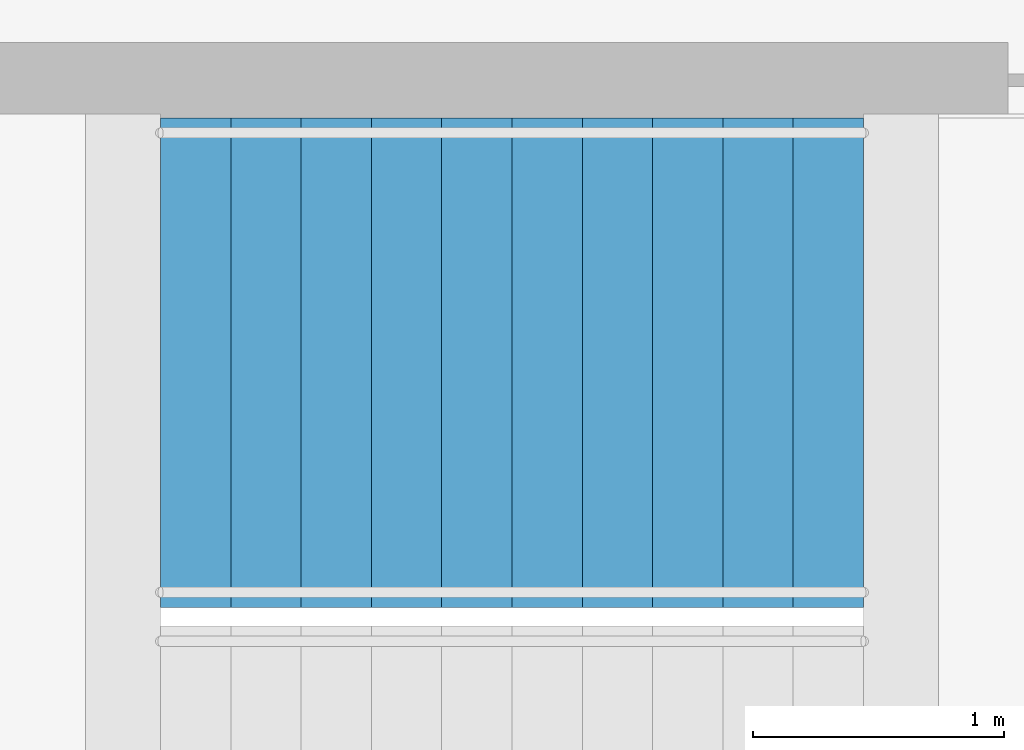
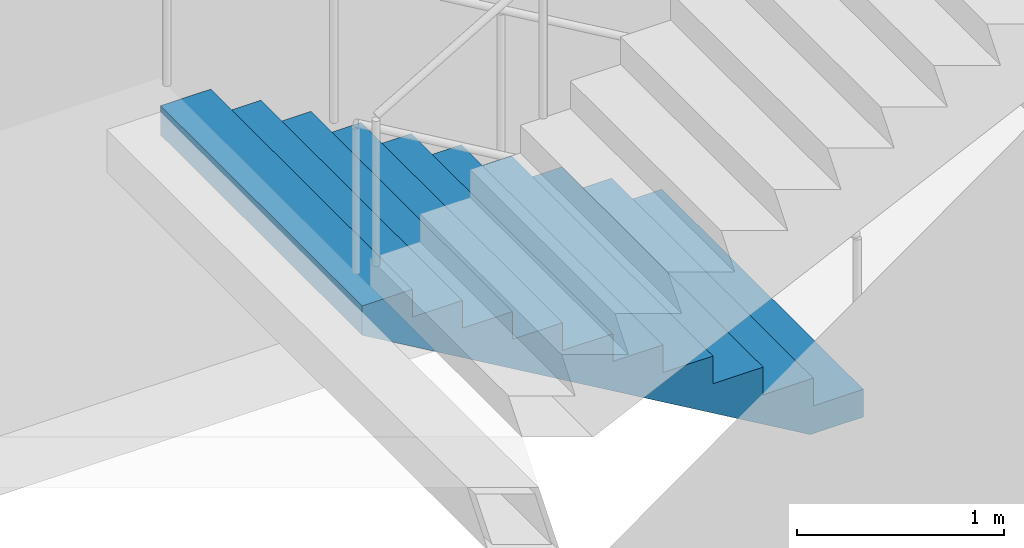
# One storey, part 20 of 22: 1 stair flight, 1 element without a shape of its own.
"""IFC4 building model written with IfcOpenShell, lengths in metres."""

from ifc_helpers import new_model, si_unit, direction, frame, origin, place, context, subcontext, project, spatial, triangles, material, type_object, element, aggregate, save


model = new_model("IFC4")

# Units and contexts
model_context = context("Model", 3, precision=1e-05, world=origin(), true_north=direction((0.0, 1.0)))
body_context = subcontext(model_context, "Body", "Model", "MODEL_VIEW")
ifc_project = project(units=[si_unit("LENGTHUNIT", "METRE"), si_unit("AREAUNIT", "SQUARE_METRE"), si_unit("VOLUMEUNIT", "CUBIC_METRE"), si_unit("PLANEANGLEUNIT", "RADIAN"), si_unit("MASSUNIT", "GRAM", prefix="KILO")], contexts=[model_context])

# Site, building, storey
site_placement = place(None, origin())
site = spatial("IfcSite", under=ifc_project, at=site_placement, CompositionType="ELEMENT")
building_placement = place(site_placement, origin())
building = spatial("IfcBuilding", under=site, at=building_placement, Name="Orbita Commons", CompositionType="ELEMENT")
storey_placement = place(building_placement, frame((0.0, 0.0, 133.14990234375)))
storey = spatial("IfcBuildingStorey", under=building, at=storey_placement, Name="L33", CompositionType="ELEMENT", Elevation=133.14990234375)

# Stair, stair flight
ifc_material_1 = material(Name="Precast concrete C40/50", Category="concrete")
stair_type = type_object("IfcStairType", Name="Exit stair S2 4 flights 11 risers 164", PredefinedType="HALF_TURN_STAIR", material=ifc_material_1)
stair_placement = place(storey_placement, origin())
stair = element("IfcStair", 1, at=stair_placement, inside=storey, type_object=stair_type, Name="Exit stair S2 L33", PredefinedType="HALF_TURN_STAIR")
ifc_material_2 = material(Name="Precast concrete C40/50", Category="concrete")
stair_flight_type = type_object("IfcStairFlightType", Name="Stair flight 11 risers 164 x 280", PredefinedType="STRAIGHT", material=ifc_material_2)
stair_flight_placement = place(storey_placement, frame((63.550048828125, 29.27490234375, 0.0), z_axis=(0.0, 0.0, 1.0), x_axis=(-1.0, 0.0, 0.0)))
stair_flight = element("IfcStairFlight", 2, at=stair_flight_placement, type_object=stair_flight_type, Name="S2 flight 1", NumberOfRisers=11, NumberOfTreads=10, PredefinedType="STRAIGHT", RiserHeight=0.163636364, TreadLength=0.28, context=body_context, shape_type="Tessellation", body=[
    triangles([(0.0, 0.974976, 0.0), (0.0, 0.974976, 0.020455), (0.0, 0.81248, 0.020455), (0.0, 0.81248, 0.0), (0.0, 0.649984, 0.020455), (0.0, 0.649984, 0.0), (0.0, 0.487488, 0.020455), (0.0, 0.487488, 0.0), (0.0, 0.324992, 0.020455), (0.0, 0.324992, 0.0), (0.0, 0.162496, 0.020455), (0.0, 0.162496, 0.0), (0.0, 0.0, 0.020455), (0.0, 0.0, 0.0), (0.0, -0.162496, 0.020455), (0.0, -0.162496, 0.0), (0.0, -0.324992, 0.020455), (0.0, -0.324992, 0.0), (0.0, -0.487488, 0.020455), (0.0, -0.487488, 0.0), (0.0, -0.649984, 0.020455), (0.0, -0.649984, 0.0), (0.0, -0.81248, 0.020455), (0.0, -0.81248, 0.0), (0.0, -0.974976, 0.020455), (0.0, -0.974976, 0.0), (0.0, 0.974976, 0.040909), (0.0, 0.81248, 0.040909), (0.0, 0.649984, 0.040909), (0.0, 0.487488, 0.040909), (0.0, 0.324992, 0.040909), (0.0, 0.162496, 0.040909), (0.0, 0.0, 0.040909), (0.0, -0.162496, 0.040909), (0.0, -0.324992, 0.040909), (0.0, -0.487488, 0.040909), (0.0, -0.649984, 0.040909), (0.0, -0.81248, 0.040909), (0.0, -0.974976, 0.040909), (0.0, 0.974976, 0.061364), (0.0, 0.81248, 0.061364), (0.0, 0.649984, 0.061364), (0.0, 0.487488, 0.061364), (0.0, 0.324992, 0.061364), (0.0, 0.162496, 0.061364), (0.0, 0.0, 0.061364), (0.0, -0.162496, 0.061364), (0.0, -0.324992, 0.061364), (0.0, -0.487488, 0.061364), (0.0, -0.649984, 0.061364), (0.0, -0.81248, 0.061364), (0.0, -0.974976, 0.061364), (0.0, 0.974976, 0.081818), (0.0, 0.81248, 0.081818), (0.0, 0.649984, 0.081818), (0.0, 0.487488, 0.081818), (0.0, 0.324992, 0.081818), (0.0, 0.162496, 0.081818), (0.0, 0.0, 0.081818), (0.0, -0.162496, 0.081818), (0.0, -0.324992, 0.081818), (0.0, -0.487488, 0.081818), (0.0, -0.649984, 0.081818), (0.0, -0.81248, 0.081818), (0.0, -0.974976, 0.081818), (0.0, 0.974976, 0.102273), (0.0, 0.81248, 0.102273), (0.0, 0.649984, 0.102273), (0.0, 0.487488, 0.102273), (0.0, 0.324992, 0.102273), (0.0, 0.162496, 0.102273), (0.0, 0.0, 0.102273), (0.0, -0.162496, 0.102273), (0.0, -0.324992, 0.102273), (0.0, -0.487488, 0.102273), (0.0, -0.649984, 0.102273), (0.0, -0.81248, 0.102273), (0.0, -0.974976, 0.102273), (0.0, 0.974976, 0.122727), (0.0, 0.81248, 0.122727), (0.0, 0.649984, 0.122727), (0.0, 0.487488, 0.122727), (0.0, 0.324992, 0.122727), (0.0, 0.162496, 0.122727), (0.0, 0.0, 0.122727), (0.0, -0.162496, 0.122727), (0.0, -0.324992, 0.122727), (0.0, -0.487488, 0.122727), (0.0, -0.649984, 0.122727), (0.0, -0.81248, 0.122727), (0.0, -0.974976, 0.122727), (0.0, 0.974976, 0.143182), (0.0, 0.81248, 0.143182), (0.0, 0.649984, 0.143182), (0.0, 0.487488, 0.143182), (0.0, 0.324992, 0.143182), (0.0, 0.162496, 0.143182), (0.0, 0.0, 0.143182), (0.0, -0.162496, 0.143182), (0.0, -0.324992, 0.143182), (0.0, -0.487488, 0.143182), (0.0, -0.649984, 0.143182), (0.0, -0.81248, 0.143182), (0.0, -0.974976, 0.143182), (0.0, 0.974976, 0.163636), (0.0, 0.81248, 0.163636), (0.0, 0.649984, 0.163636), (0.0, 0.487488, 0.163636), (0.0, 0.324992, 0.163636), (0.0, 0.162496, 0.163636), (0.0, 0.0, 0.163636), (0.0, -0.162496, 0.163636), (0.0, -0.324992, 0.163636), (0.0, -0.487488, 0.163636), (0.0, -0.649984, 0.163636), (0.0, -0.81248, 0.163636), (0.0, -0.974976, 0.163636), (0.28, 0.974976, 0.163636), (0.28, 0.81248, 0.163636), (0.28, 0.649984, 0.163636), (0.28, 0.487488, 0.163636), (0.28, 0.324992, 0.163636), (0.28, 0.162496, 0.163636), (0.28, 0.0, 0.163636), (0.28, -0.162496, 0.163636), (0.28, -0.324992, 0.163636), (0.28, -0.487488, 0.163636), (0.28, -0.649984, 0.163636), (0.28, -0.81248, 0.163636), (0.28, -0.974976, 0.163636), (0.28, 0.974976, 0.327273), (0.28, 0.81248, 0.327273), (0.28, 0.649984, 0.327273), (0.28, 0.487488, 0.327273), (0.28, 0.324992, 0.327273), (0.28, 0.162496, 0.327273), (0.28, 0.0, 0.327273), (0.28, -0.162496, 0.327273), (0.28, -0.324992, 0.327273), (0.28, -0.487488, 0.327273), (0.28, -0.649984, 0.327273), (0.28, -0.81248, 0.327273), (0.28, -0.974976, 0.327273), (0.56, 0.974976, 0.327273), (0.56, 0.81248, 0.327273), (0.56, 0.649984, 0.327273), (0.56, 0.487488, 0.327273), (0.56, 0.324992, 0.327273), (0.56, 0.162496, 0.327273), (0.56, 0.0, 0.327273), (0.56, -0.162496, 0.327273), (0.56, -0.324992, 0.327273), (0.56, -0.487488, 0.327273), (0.56, -0.649984, 0.327273), (0.56, -0.81248, 0.327273), (0.56, -0.974976, 0.327273), (0.56, 0.974976, 0.490909), (0.56, 0.81248, 0.490909), (0.56, 0.649984, 0.490909), (0.56, 0.487488, 0.490909), (0.56, 0.324992, 0.490909), (0.56, 0.162496, 0.490909), (0.56, 0.0, 0.490909), (0.56, -0.162496, 0.490909), (0.56, -0.324992, 0.490909), (0.56, -0.487488, 0.490909), (0.56, -0.649984, 0.490909), (0.56, -0.81248, 0.490909), (0.56, -0.974976, 0.490909), (0.84, 0.974976, 0.490909), (0.84, 0.81248, 0.490909), (0.84, 0.649984, 0.490909), (0.84, 0.487488, 0.490909), (0.84, 0.324992, 0.490909), (0.84, 0.162496, 0.490909), (0.84, 0.0, 0.490909), (0.84, -0.162496, 0.490909), (0.84, -0.324992, 0.490909), (0.84, -0.487488, 0.490909), (0.84, -0.649984, 0.490909), (0.84, -0.81248, 0.490909), (0.84, -0.974976, 0.490909), (0.84, 0.974976, 0.654545), (0.84, 0.81248, 0.654545), (0.84, 0.649984, 0.654545), (0.84, 0.487488, 0.654545), (0.84, 0.324992, 0.654545), (0.84, 0.162496, 0.654545), (0.84, 0.0, 0.654545), (0.84, -0.162496, 0.654545), (0.84, -0.324992, 0.654545), (0.84, -0.487488, 0.654545), (0.84, -0.649984, 0.654545), (0.84, -0.81248, 0.654545), (0.84, -0.974976, 0.654545), (1.12, 0.974976, 0.654545), (1.12, 0.81248, 0.654545), (1.12, 0.649984, 0.654545), (1.12, 0.487488, 0.654545), (1.12, 0.324992, 0.654545), (1.12, 0.162496, 0.654545), (1.12, 0.0, 0.654545), (1.12, -0.162496, 0.654545), (1.12, -0.324992, 0.654545), (1.12, -0.487488, 0.654545), (1.12, -0.649984, 0.654545), (1.12, -0.81248, 0.654545), (1.12, -0.974976, 0.654545), (1.12, 0.974976, 0.818182), (1.12, 0.81248, 0.818182), (1.12, 0.649984, 0.818182), (1.12, 0.487488, 0.818182), (1.12, 0.324992, 0.818182), (1.12, 0.162496, 0.818182), (1.12, 0.0, 0.818182), (1.12, -0.162496, 0.818182), (1.12, -0.324992, 0.818182), (1.12, -0.487488, 0.818182), (1.12, -0.649984, 0.818182), (1.12, -0.81248, 0.818182), (1.12, -0.974976, 0.818182), (1.4, 0.974976, 0.818182), (1.4, 0.81248, 0.818182), (1.4, 0.649984, 0.818182), (1.4, 0.487488, 0.818182), (1.4, 0.324992, 0.818182), (1.4, 0.162496, 0.818182), (1.4, 0.0, 0.818182), (1.4, -0.162496, 0.818182), (1.4, -0.324992, 0.818182), (1.4, -0.487488, 0.818182), (1.4, -0.649984, 0.818182), (1.4, -0.81248, 0.818182), (1.4, -0.974976, 0.818182), (1.4, 0.974976, 0.981818), (1.4, 0.81248, 0.981818), (1.4, 0.649984, 0.981818), (1.4, 0.487488, 0.981818), (1.4, 0.324992, 0.981818), (1.4, 0.162496, 0.981818), (1.4, 0.0, 0.981818), (1.4, -0.162496, 0.981818), (1.4, -0.324992, 0.981818), (1.4, -0.487488, 0.981818), (1.4, -0.649984, 0.981818), (1.4, -0.81248, 0.981818), (1.4, -0.974976, 0.981818), (1.68, 0.974976, 0.981818), (1.68, 0.81248, 0.981818), (1.68, 0.649984, 0.981818), (1.68, 0.487488, 0.981818), (1.68, 0.324992, 0.981818), (1.68, 0.162496, 0.981818), (1.68, 0.0, 0.981818), (1.68, -0.162496, 0.981818), (1.68, -0.324992, 0.981818), (1.68, -0.487488, 0.981818), (1.68, -0.649984, 0.981818), (1.68, -0.81248, 0.981818), (1.68, -0.974976, 0.981818), (1.68, 0.974976, 1.145455), (1.68, 0.81248, 1.145455), (1.68, 0.649984, 1.145455), (1.68, 0.487488, 1.145455), (1.68, 0.324992, 1.145455), (1.68, 0.162496, 1.145455), (1.68, 0.0, 1.145455), (1.68, -0.162496, 1.145455), (1.68, -0.324992, 1.145455), (1.68, -0.487488, 1.145455), (1.68, -0.649984, 1.145455), (1.68, -0.81248, 1.145455), (1.68, -0.974976, 1.145455), (1.96, 0.974976, 1.145455), (1.96, 0.81248, 1.145455), (1.96, 0.649984, 1.145455), (1.96, 0.487488, 1.145455), (1.96, 0.324992, 1.145455), (1.96, 0.162496, 1.145455), (1.96, 0.0, 1.145455), (1.96, -0.162496, 1.145455), (1.96, -0.324992, 1.145455), (1.96, -0.487488, 1.145455), (1.96, -0.649984, 1.145455), (1.96, -0.81248, 1.145455), (1.96, -0.974976, 1.145455), (1.96, 0.974976, 1.309091), (1.96, 0.81248, 1.309091), (1.96, 0.649984, 1.309091), (1.96, 0.487488, 1.309091), (1.96, 0.324992, 1.309091), (1.96, 0.162496, 1.309091), (1.96, 0.0, 1.309091), (1.96, -0.162496, 1.309091), (1.96, -0.324992, 1.309091), (1.96, -0.487488, 1.309091), (1.96, -0.649984, 1.309091), (1.96, -0.81248, 1.309091), (1.96, -0.974976, 1.309091), (2.24, 0.974976, 1.309091), (2.24, 0.81248, 1.309091), (2.24, 0.649984, 1.309091), (2.24, 0.487488, 1.309091), (2.24, 0.324992, 1.309091), (2.24, 0.162496, 1.309091), (2.24, 0.0, 1.309091), (2.24, -0.162496, 1.309091), (2.24, -0.324992, 1.309091), (2.24, -0.487488, 1.309091), (2.24, -0.649984, 1.309091), (2.24, -0.81248, 1.309091), (2.24, -0.974976, 1.309091), (2.24, 0.974976, 1.472727), (2.24, 0.81248, 1.472727), (2.24, 0.649984, 1.472727), (2.24, 0.487488, 1.472727), (2.24, 0.324992, 1.472727), (2.24, 0.162496, 1.472727), (2.24, 0.0, 1.472727), (2.24, -0.162496, 1.472727), (2.24, -0.324992, 1.472727), (2.24, -0.487488, 1.472727), (2.24, -0.649984, 1.472727), (2.24, -0.81248, 1.472727), (2.24, -0.974976, 1.472727), (2.52, 0.974976, 1.472727), (2.52, 0.81248, 1.472727), (2.52, 0.649984, 1.472727), (2.52, 0.487488, 1.472727), (2.52, 0.324992, 1.472727), (2.52, 0.162496, 1.472727), (2.52, 0.0, 1.472727), (2.52, -0.162496, 1.472727), (2.52, -0.324992, 1.472727), (2.52, -0.487488, 1.472727), (2.52, -0.649984, 1.472727), (2.52, -0.81248, 1.472727), (2.52, -0.974976, 1.472727), (2.52, 0.974976, 1.636364), (2.52, 0.81248, 1.636364), (2.52, 0.649984, 1.636364), (2.52, 0.487488, 1.636364), (2.52, 0.324992, 1.636364), (2.52, 0.162496, 1.636364), (2.52, 0.0, 1.636364), (2.52, -0.162496, 1.636364), (2.52, -0.324992, 1.636364), (2.52, -0.487488, 1.636364), (2.52, -0.649984, 1.636364), (2.52, -0.81248, 1.636364), (2.52, -0.974976, 1.636364), (2.8, 0.974976, 1.636364), (2.8, 0.81248, 1.636364), (2.8, 0.649984, 1.636364), (2.8, 0.487488, 1.636364), (2.8, 0.324992, 1.636364), (2.8, 0.162496, 1.636364), (2.8, 0.0, 1.636364), (2.8, -0.162496, 1.636364), (2.8, -0.324992, 1.636364), (2.8, -0.487488, 1.636364), (2.8, -0.649984, 1.636364), (2.8, -0.81248, 1.636364), (2.8, -0.974976, 1.636364), (2.8, 0.974976, 1.614661), (2.8, 0.81248, 1.614661), (2.8, 0.649984, 1.614661), (2.8, 0.487488, 1.614661), (2.8, 0.324992, 1.614661), (2.8, 0.162496, 1.614661), (2.8, 0.0, 1.614661), (2.8, -0.162496, 1.614661), (2.8, -0.324992, 1.614661), (2.8, -0.487488, 1.614661), (2.8, -0.649984, 1.614661), (2.8, -0.81248, 1.614661), (2.8, -0.974976, 1.614661), (2.8, 0.974976, 1.592958), (2.8, 0.81248, 1.592958), (2.8, 0.649984, 1.592958), (2.8, 0.487488, 1.592958), (2.8, 0.324992, 1.592958), (2.8, 0.162496, 1.592958), (2.8, 0.0, 1.592958), (2.8, -0.162496, 1.592958), (2.8, -0.324992, 1.592958), (2.8, -0.487488, 1.592958), (2.8, -0.649984, 1.592958), (2.8, -0.81248, 1.592958), (2.8, -0.974976, 1.592958), (2.8, 0.974976, 1.571255), (2.8, 0.81248, 1.571255), (2.8, 0.649984, 1.571255), (2.8, 0.487488, 1.571255), (2.8, 0.324992, 1.571255), (2.8, 0.162496, 1.571255), (2.8, 0.0, 1.571255), (2.8, -0.162496, 1.571255), (2.8, -0.324992, 1.571255), (2.8, -0.487488, 1.571255), (2.8, -0.649984, 1.571255), (2.8, -0.81248, 1.571255), (2.8, -0.974976, 1.571255), (2.8, 0.974976, 1.549551), (2.8, 0.81248, 1.549551), (2.8, 0.649984, 1.549551), (2.8, 0.487488, 1.549551), (2.8, 0.324992, 1.549551), (2.8, 0.162496, 1.549551), (2.8, 0.0, 1.549551), (2.8, -0.162496, 1.549551), (2.8, -0.324992, 1.549551), (2.8, -0.487488, 1.549551), (2.8, -0.649984, 1.549551), (2.8, -0.81248, 1.549551), (2.8, -0.974976, 1.549551), (2.8, 0.974976, 1.527848), (2.8, 0.81248, 1.527848), (2.8, 0.649984, 1.527848), (2.8, 0.487488, 1.527848), (2.8, 0.324992, 1.527848), (2.8, 0.162496, 1.527848), (2.8, 0.0, 1.527848), (2.8, -0.162496, 1.527848), (2.8, -0.324992, 1.527848), (2.8, -0.487488, 1.527848), (2.8, -0.649984, 1.527848), (2.8, -0.81248, 1.527848), (2.8, -0.974976, 1.527848), (2.8, 0.974976, 1.506145), (2.8, 0.81248, 1.506145), (2.8, 0.649984, 1.506145), (2.8, 0.487488, 1.506145), (2.8, 0.324992, 1.506145), (2.8, 0.162496, 1.506145), (2.8, 0.0, 1.506145), (2.8, -0.162496, 1.506145), (2.8, -0.324992, 1.506145), (2.8, -0.487488, 1.506145), (2.8, -0.649984, 1.506145), (2.8, -0.81248, 1.506145), (2.8, -0.974976, 1.506145), (2.8, 0.974976, 1.484442), (2.8, 0.81248, 1.484442), (2.8, 0.649984, 1.484442), (2.8, 0.487488, 1.484442), (2.8, 0.324992, 1.484442), (2.8, 0.162496, 1.484442), (2.8, 0.0, 1.484442), (2.8, -0.162496, 1.484442), (2.8, -0.324992, 1.484442), (2.8, -0.487488, 1.484442), (2.8, -0.649984, 1.484442), (2.8, -0.81248, 1.484442), (2.8, -0.974976, 1.484442), (2.8, 0.974976, 1.462739), (2.8, 0.81248, 1.462739), (2.8, 0.649984, 1.462739), (2.8, 0.487488, 1.462739), (2.8, 0.324992, 1.462739), (2.8, 0.162496, 1.462739), (2.8, 0.0, 1.462739), (2.8, -0.162496, 1.462739), (2.8, -0.324992, 1.462739), (2.8, -0.487488, 1.462739), (2.8, -0.649984, 1.462739), (2.8, -0.81248, 1.462739), (2.8, -0.974976, 1.462739), (0.29709, 0.974976, 0.0), (0.29709, 0.81248, 0.0), (0.29709, 0.649984, 0.0), (0.29709, 0.487488, 0.0), (0.29709, 0.324992, 0.0), (0.29709, 0.162496, 0.0), (0.29709, 0.0, 0.0), (0.29709, -0.162496, 0.0), (0.29709, -0.324992, 0.0), (0.29709, -0.487488, 0.0), (0.29709, -0.649984, 0.0), (0.29709, -0.81248, 0.0), (0.29709, -0.974976, 0.0)], [[3, 2, 1], [4, 3, 1], [5, 3, 4], [6, 5, 4], [7, 5, 6], [8, 7, 6], [9, 7, 8], [10, 9, 8], [11, 9, 10], [12, 11, 10], [13, 11, 12], [14, 13, 12], [15, 13, 14], [16, 15, 14], [17, 15, 16], [18, 17, 16], [19, 17, 18], [20, 19, 18], [21, 19, 20], [22, 21, 20], [23, 21, 22], [24, 23, 22], [25, 23, 24], [26, 25, 24], [28, 27, 2], [3, 28, 2], [29, 28, 3], [5, 29, 3], [30, 29, 5], [7, 30, 5], [31, 30, 7], [9, 31, 7], [32, 31, 9], [11, 32, 9], [33, 32, 11], [13, 33, 11], [34, 33, 13], [15, 34, 13], [35, 34, 15], [17, 35, 15], [36, 35, 17], [19, 36, 17], [37, 36, 19], [21, 37, 19], [38, 37, 21], [23, 38, 21], [39, 38, 23], [25, 39, 23], [41, 40, 27], [28, 41, 27], [42, 41, 28], [29, 42, 28], [43, 42, 29], [30, 43, 29], [44, 43, 30], [31, 44, 30], [45, 44, 31], [32, 45, 31], [46, 45, 32], [33, 46, 32], [47, 46, 33], [34, 47, 33], [48, 47, 34], [35, 48, 34], [49, 48, 35], [36, 49, 35], [50, 49, 36], [37, 50, 36], [51, 50, 37], [38, 51, 37], [52, 51, 38], [39, 52, 38], [54, 53, 40], [41, 54, 40], [55, 54, 41], [42, 55, 41], [56, 55, 42], [43, 56, 42], [57, 56, 43], [44, 57, 43], [58, 57, 44], [45, 58, 44], [59, 58, 45], [46, 59, 45], [60, 59, 46], [47, 60, 46], [61, 60, 47], [48, 61, 47], [62, 61, 48], [49, 62, 48], [63, 62, 49], [50, 63, 49], [64, 63, 50], [51, 64, 50], [65, 64, 51], [52, 65, 51], [67, 66, 53], [54, 67, 53], [68, 67, 54], [55, 68, 54], [69, 68, 55], [56, 69, 55], [70, 69, 56], [57, 70, 56], [71, 70, 57], [58, 71, 57], [72, 71, 58], [59, 72, 58], [73, 72, 59], [60, 73, 59], [74, 73, 60], [61, 74, 60], [75, 74, 61], [62, 75, 61], [76, 75, 62], [63, 76, 62], [77, 76, 63], [64, 77, 63], [78, 77, 64], [65, 78, 64], [80, 79, 66], [67, 80, 66], [81, 80, 67], [68, 81, 67], [82, 81, 68], [69, 82, 68], [83, 82, 69], [70, 83, 69], [84, 83, 70], [71, 84, 70], [85, 84, 71], [72, 85, 71], [86, 85, 72], [73, 86, 72], [87, 86, 73], [74, 87, 73], [88, 87, 74], [75, 88, 74], [89, 88, 75], [76, 89, 75], [90, 89, 76], [77, 90, 76], [91, 90, 77], [78, 91, 77], [93, 92, 79], [80, 93, 79], [94, 93, 80], [81, 94, 80], [95, 94, 81], [82, 95, 81], [96, 95, 82], [83, 96, 82], [97, 96, 83], [84, 97, 83], [98, 97, 84], [85, 98, 84], [99, 98, 85], [86, 99, 85], [100, 99, 86], [87, 100, 86], [101, 100, 87], [88, 101, 87], [102, 101, 88], [89, 102, 88], [103, 102, 89], [90, 103, 89], [104, 103, 90], [91, 104, 90], [106, 105, 92], [93, 106, 92], [107, 106, 93], [94, 107, 93], [108, 107, 94], [95, 108, 94], [109, 108, 95], [96, 109, 95], [110, 109, 96], [97, 110, 96], [111, 110, 97], [98, 111, 97], [112, 111, 98], [99, 112, 98], [113, 112, 99], [100, 113, 99], [114, 113, 100], [101, 114, 100], [115, 114, 101], [102, 115, 101], [116, 115, 102], [103, 116, 102], [117, 116, 103], [104, 117, 103], [119, 118, 105], [106, 119, 105], [120, 119, 106], [107, 120, 106], [121, 120, 107], [108, 121, 107], [122, 121, 108], [109, 122, 108], [123, 122, 109], [110, 123, 109], [124, 123, 110], [111, 124, 110], [125, 124, 111], [112, 125, 111], [126, 125, 112], [113, 126, 112], [127, 126, 113], [114, 127, 113], [128, 127, 114], [115, 128, 114], [129, 128, 115], [116, 129, 115], [130, 129, 116], [117, 130, 116], [132, 131, 118], [119, 132, 118], [133, 132, 119], [120, 133, 119], [134, 133, 120], [121, 134, 120], [135, 134, 121], [122, 135, 121], [136, 135, 122], [123, 136, 122], [137, 136, 123], [124, 137, 123], [138, 137, 124], [125, 138, 124], [139, 138, 125], [126, 139, 125], [140, 139, 126], [127, 140, 126], [141, 140, 127], [128, 141, 127], [142, 141, 128], [129, 142, 128], [143, 142, 129], [130, 143, 129], [145, 144, 131], [132, 145, 131], [146, 145, 132], [133, 146, 132], [147, 146, 133], [134, 147, 133], [148, 147, 134], [135, 148, 134], [149, 148, 135], [136, 149, 135], [150, 149, 136], [137, 150, 136], [151, 150, 137], [138, 151, 137], [152, 151, 138], [139, 152, 138], [153, 152, 139], [140, 153, 139], [154, 153, 140], [141, 154, 140], [155, 154, 141], [142, 155, 141], [156, 155, 142], [143, 156, 142], [158, 157, 144], [145, 158, 144], [159, 158, 145], [146, 159, 145], [160, 159, 146], [147, 160, 146], [161, 160, 147], [148, 161, 147], [162, 161, 148], [149, 162, 148], [163, 162, 149], [150, 163, 149], [164, 163, 150], [151, 164, 150], [165, 164, 151], [152, 165, 151], [166, 165, 152], [153, 166, 152], [167, 166, 153], [154, 167, 153], [168, 167, 154], [155, 168, 154], [169, 168, 155], [156, 169, 155], [171, 170, 157], [158, 171, 157], [172, 171, 158], [159, 172, 158], [173, 172, 159], [160, 173, 159], [174, 173, 160], [161, 174, 160], [175, 174, 161], [162, 175, 161], [176, 175, 162], [163, 176, 162], [177, 176, 163], [164, 177, 163], [178, 177, 164], [165, 178, 164], [179, 178, 165], [166, 179, 165], [180, 179, 166], [167, 180, 166], [181, 180, 167], [168, 181, 167], [182, 181, 168], [169, 182, 168], [184, 183, 170], [171, 184, 170], [185, 184, 171], [172, 185, 171], [186, 185, 172], [173, 186, 172], [187, 186, 173], [174, 187, 173], [188, 187, 174], [175, 188, 174], [189, 188, 175], [176, 189, 175], [190, 189, 176], [177, 190, 176], [191, 190, 177], [178, 191, 177], [192, 191, 178], [179, 192, 178], [193, 192, 179], [180, 193, 179], [194, 193, 180], [181, 194, 180], [195, 194, 181], [182, 195, 181], [197, 196, 183], [184, 197, 183], [198, 197, 184], [185, 198, 184], [199, 198, 185], [186, 199, 185], [200, 199, 186], [187, 200, 186], [201, 200, 187], [188, 201, 187], [202, 201, 188], [189, 202, 188], [203, 202, 189], [190, 203, 189], [204, 203, 190], [191, 204, 190], [205, 204, 191], [192, 205, 191], [206, 205, 192], [193, 206, 192], [207, 206, 193], [194, 207, 193], [208, 207, 194], [195, 208, 194], [210, 209, 196], [197, 210, 196], [211, 210, 197], [198, 211, 197], [212, 211, 198], [199, 212, 198], [213, 212, 199], [200, 213, 199], [214, 213, 200], [201, 214, 200], [215, 214, 201], [202, 215, 201], [216, 215, 202], [203, 216, 202], [217, 216, 203], [204, 217, 203], [218, 217, 204], [205, 218, 204], [219, 218, 205], [206, 219, 205], [220, 219, 206], [207, 220, 206], [221, 220, 207], [208, 221, 207], [223, 222, 209], [210, 223, 209], [224, 223, 210], [211, 224, 210], [225, 224, 211], [212, 225, 211], [226, 225, 212], [213, 226, 212], [227, 226, 213], [214, 227, 213], [228, 227, 214], [215, 228, 214], [229, 228, 215], [216, 229, 215], [230, 229, 216], [217, 230, 216], [231, 230, 217], [218, 231, 217], [232, 231, 218], [219, 232, 218], [233, 232, 219], [220, 233, 219], [234, 233, 220], [221, 234, 220], [236, 235, 222], [223, 236, 222], [237, 236, 223], [224, 237, 223], [238, 237, 224], [225, 238, 224], [239, 238, 225], [226, 239, 225], [240, 239, 226], [227, 240, 226], [241, 240, 227], [228, 241, 227], [242, 241, 228], [229, 242, 228], [243, 242, 229], [230, 243, 229], [244, 243, 230], [231, 244, 230], [245, 244, 231], [232, 245, 231], [246, 245, 232], [233, 246, 232], [247, 246, 233], [234, 247, 233], [249, 248, 235], [236, 249, 235], [250, 249, 236], [237, 250, 236], [251, 250, 237], [238, 251, 237], [252, 251, 238], [239, 252, 238], [253, 252, 239], [240, 253, 239], [254, 253, 240], [241, 254, 240], [255, 254, 241], [242, 255, 241], [256, 255, 242], [243, 256, 242], [257, 256, 243], [244, 257, 243], [258, 257, 244], [245, 258, 244], [259, 258, 245], [246, 259, 245], [260, 259, 246], [247, 260, 246], [262, 261, 248], [249, 262, 248], [263, 262, 249], [250, 263, 249], [264, 263, 250], [251, 264, 250], [265, 264, 251], [252, 265, 251], [266, 265, 252], [253, 266, 252], [267, 266, 253], [254, 267, 253], [268, 267, 254], [255, 268, 254], [269, 268, 255], [256, 269, 255], [270, 269, 256], [257, 270, 256], [271, 270, 257], [258, 271, 257], [272, 271, 258], [259, 272, 258], [273, 272, 259], [260, 273, 259], [275, 274, 261], [262, 275, 261], [276, 275, 262], [263, 276, 262], [277, 276, 263], [264, 277, 263], [278, 277, 264], [265, 278, 264], [279, 278, 265], [266, 279, 265], [280, 279, 266], [267, 280, 266], [281, 280, 267], [268, 281, 267], [282, 281, 268], [269, 282, 268], [283, 282, 269], [270, 283, 269], [284, 283, 270], [271, 284, 270], [285, 284, 271], [272, 285, 271], [286, 285, 272], [273, 286, 272], [288, 287, 274], [275, 288, 274], [289, 288, 275], [276, 289, 275], [290, 289, 276], [277, 290, 276], [291, 290, 277], [278, 291, 277], [292, 291, 278], [279, 292, 278], [293, 292, 279], [280, 293, 279], [294, 293, 280], [281, 294, 280], [295, 294, 281], [282, 295, 281], [296, 295, 282], [283, 296, 282], [297, 296, 283], [284, 297, 283], [298, 297, 284], [285, 298, 284], [299, 298, 285], [286, 299, 285], [301, 300, 287], [288, 301, 287], [302, 301, 288], [289, 302, 288], [303, 302, 289], [290, 303, 289], [304, 303, 290], [291, 304, 290], [305, 304, 291], [292, 305, 291], [306, 305, 292], [293, 306, 292], [307, 306, 293], [294, 307, 293], [308, 307, 294], [295, 308, 294], [309, 308, 295], [296, 309, 295], [310, 309, 296], [297, 310, 296], [311, 310, 297], [298, 311, 297], [312, 311, 298], [299, 312, 298], [314, 313, 300], [301, 314, 300], [315, 314, 301], [302, 315, 301], [316, 315, 302], [303, 316, 302], [317, 316, 303], [304, 317, 303], [318, 317, 304], [305, 318, 304], [319, 318, 305], [306, 319, 305], [320, 319, 306], [307, 320, 306], [321, 320, 307], [308, 321, 307], [322, 321, 308], [309, 322, 308], [323, 322, 309], [310, 323, 309], [324, 323, 310], [311, 324, 310], [325, 324, 311], [312, 325, 311], [327, 326, 313], [314, 327, 313], [328, 327, 314], [315, 328, 314], [329, 328, 315], [316, 329, 315], [330, 329, 316], [317, 330, 316], [331, 330, 317], [318, 331, 317], [332, 331, 318], [319, 332, 318], [333, 332, 319], [320, 333, 319], [334, 333, 320], [321, 334, 320], [335, 334, 321], [322, 335, 321], [336, 335, 322], [323, 336, 322], [337, 336, 323], [324, 337, 323], [338, 337, 324], [325, 338, 324], [340, 339, 326], [327, 340, 326], [341, 340, 327], [328, 341, 327], [342, 341, 328], [329, 342, 328], [343, 342, 329], [330, 343, 329], [344, 343, 330], [331, 344, 330], [345, 344, 331], [332, 345, 331], [346, 345, 332], [333, 346, 332], [347, 346, 333], [334, 347, 333], [348, 347, 334], [335, 348, 334], [349, 348, 335], [336, 349, 335], [350, 349, 336], [337, 350, 336], [351, 350, 337], [338, 351, 337], [353, 352, 339], [340, 353, 339], [354, 353, 340], [341, 354, 340], [355, 354, 341], [342, 355, 341], [356, 355, 342], [343, 356, 342], [357, 356, 343], [344, 357, 343], [358, 357, 344], [345, 358, 344], [359, 358, 345], [346, 359, 345], [360, 359, 346], [347, 360, 346], [361, 360, 347], [348, 361, 347], [362, 361, 348], [349, 362, 348], [363, 362, 349], [350, 363, 349], [364, 363, 350], [351, 364, 350], [366, 365, 352], [353, 366, 352], [367, 366, 353], [354, 367, 353], [368, 367, 354], [355, 368, 354], [369, 368, 355], [356, 369, 355], [370, 369, 356], [357, 370, 356], [371, 370, 357], [358, 371, 357], [372, 371, 358], [359, 372, 358], [373, 372, 359], [360, 373, 359], [374, 373, 360], [361, 374, 360], [375, 374, 361], [362, 375, 361], [376, 375, 362], [363, 376, 362], [377, 376, 363], [364, 377, 363], [379, 378, 365], [366, 379, 365], [380, 379, 366], [367, 380, 366], [381, 380, 367], [368, 381, 367], [382, 381, 368], [369, 382, 368], [383, 382, 369], [370, 383, 369], [384, 383, 370], [371, 384, 370], [385, 384, 371], [372, 385, 371], [386, 385, 372], [373, 386, 372], [387, 386, 373], [374, 387, 373], [388, 387, 374], [375, 388, 374], [389, 388, 375], [376, 389, 375], [390, 389, 376], [377, 390, 376], [392, 391, 378], [379, 392, 378], [393, 392, 379], [380, 393, 379], [394, 393, 380], [381, 394, 380], [395, 394, 381], [382, 395, 381], [396, 395, 382], [383, 396, 382], [397, 396, 383], [384, 397, 383], [398, 397, 384], [385, 398, 384], [399, 398, 385], [386, 399, 385], [400, 399, 386], [387, 400, 386], [401, 400, 387], [388, 401, 387], [402, 401, 388], [389, 402, 388], [403, 402, 389], [390, 403, 389], [405, 404, 391], [392, 405, 391], [406, 405, 392], [393, 406, 392], [407, 406, 393], [394, 407, 393], [408, 407, 394], [395, 408, 394], [409, 408, 395], [396, 409, 395], [410, 409, 396], [397, 410, 396], [411, 410, 397], [398, 411, 397], [412, 411, 398], [399, 412, 398], [413, 412, 399], [400, 413, 399], [414, 413, 400], [401, 414, 400], [415, 414, 401], [402, 415, 401], [416, 415, 402], [403, 416, 402], [418, 417, 404], [405, 418, 404], [419, 418, 405], [406, 419, 405], [420, 419, 406], [407, 420, 406], [421, 420, 407], [408, 421, 407], [422, 421, 408], [409, 422, 408], [423, 422, 409], [410, 423, 409], [424, 423, 410], [411, 424, 410], [425, 424, 411], [412, 425, 411], [426, 425, 412], [413, 426, 412], [427, 426, 413], [414, 427, 413], [428, 427, 414], [415, 428, 414], [429, 428, 415], [416, 429, 415], [431, 430, 417], [418, 431, 417], [432, 431, 418], [419, 432, 418], [433, 432, 419], [420, 433, 419], [434, 433, 420], [421, 434, 420], [435, 434, 421], [422, 435, 421], [436, 435, 422], [423, 436, 422], [437, 436, 423], [424, 437, 423], [438, 437, 424], [425, 438, 424], [439, 438, 425], [426, 439, 425], [440, 439, 426], [427, 440, 426], [441, 440, 427], [428, 441, 427], [442, 441, 428], [429, 442, 428], [444, 443, 430], [431, 444, 430], [445, 444, 431], [432, 445, 431], [446, 445, 432], [433, 446, 432], [447, 446, 433], [434, 447, 433], [448, 447, 434], [435, 448, 434], [449, 448, 435], [436, 449, 435], [450, 449, 436], [437, 450, 436], [451, 450, 437], [438, 451, 437], [452, 451, 438], [439, 452, 438], [453, 452, 439], [440, 453, 439], [454, 453, 440], [441, 454, 440], [455, 454, 441], [442, 455, 441], [457, 456, 443], [444, 457, 443], [458, 457, 444], [445, 458, 444], [459, 458, 445], [446, 459, 445], [460, 459, 446], [447, 460, 446], [461, 460, 447], [448, 461, 447], [462, 461, 448], [449, 462, 448], [463, 462, 449], [450, 463, 449], [464, 463, 450], [451, 464, 450], [465, 464, 451], [452, 465, 451], [466, 465, 452], [453, 466, 452], [467, 466, 453], [454, 467, 453], [468, 467, 454], [455, 468, 454], [470, 469, 456], [457, 470, 456], [471, 470, 457], [458, 471, 457], [472, 471, 458], [459, 472, 458], [473, 472, 459], [460, 473, 459], [474, 473, 460], [461, 474, 460], [475, 474, 461], [462, 475, 461], [476, 475, 462], [463, 476, 462], [477, 476, 463], [464, 477, 463], [478, 477, 464], [465, 478, 464], [479, 478, 465], [466, 479, 465], [480, 479, 466], [467, 480, 466], [481, 480, 467], [468, 481, 467], [4, 1, 469], [470, 4, 469], [6, 4, 470], [471, 6, 470], [8, 6, 471], [472, 8, 471], [10, 8, 472], [473, 10, 472], [12, 10, 473], [474, 12, 473], [14, 12, 474], [475, 14, 474], [16, 14, 475], [476, 16, 475], [18, 16, 476], [477, 18, 476], [20, 18, 477], [478, 20, 477], [22, 20, 478], [479, 22, 478], [24, 22, 479], [480, 24, 479], [26, 24, 480], [481, 26, 480], [456, 469, 1], [26, 481, 468], [443, 456, 1], [26, 468, 455], [430, 443, 1], [26, 455, 442], [417, 430, 1], [26, 442, 429], [404, 417, 1], [26, 429, 416], [391, 404, 1], [26, 416, 403], [378, 391, 1], [26, 403, 390], [365, 378, 1], [26, 390, 377], [339, 352, 365], [377, 364, 351], [326, 339, 365], [377, 351, 338], [300, 313, 326], [338, 325, 312], [300, 326, 365], [377, 338, 312], [274, 287, 300], [312, 299, 286], [274, 300, 365], [377, 312, 286], [248, 261, 274], [286, 273, 260], [248, 274, 365], [377, 286, 260], [222, 235, 248], [260, 247, 234], [222, 248, 365], [377, 260, 234], [196, 209, 222], [234, 221, 208], [196, 222, 365], [377, 234, 208], [170, 183, 196], [208, 195, 182], [170, 196, 365], [377, 208, 182], [144, 157, 170], [182, 169, 156], [144, 170, 365], [377, 182, 156], [118, 131, 144], [156, 143, 130], [118, 144, 365], [377, 156, 130], [118, 365, 1], [26, 377, 130], [92, 105, 118], [130, 117, 104], [79, 92, 118], [130, 104, 91], [66, 79, 118], [130, 91, 78], [53, 66, 118], [130, 78, 65], [40, 53, 118], [130, 65, 52], [27, 40, 118], [130, 52, 39], [2, 27, 118], [130, 39, 25], [1, 2, 118], [130, 25, 26]], closed=True),
])
aggregate(stair, [stair_flight])

save(model, "model.ifc")
